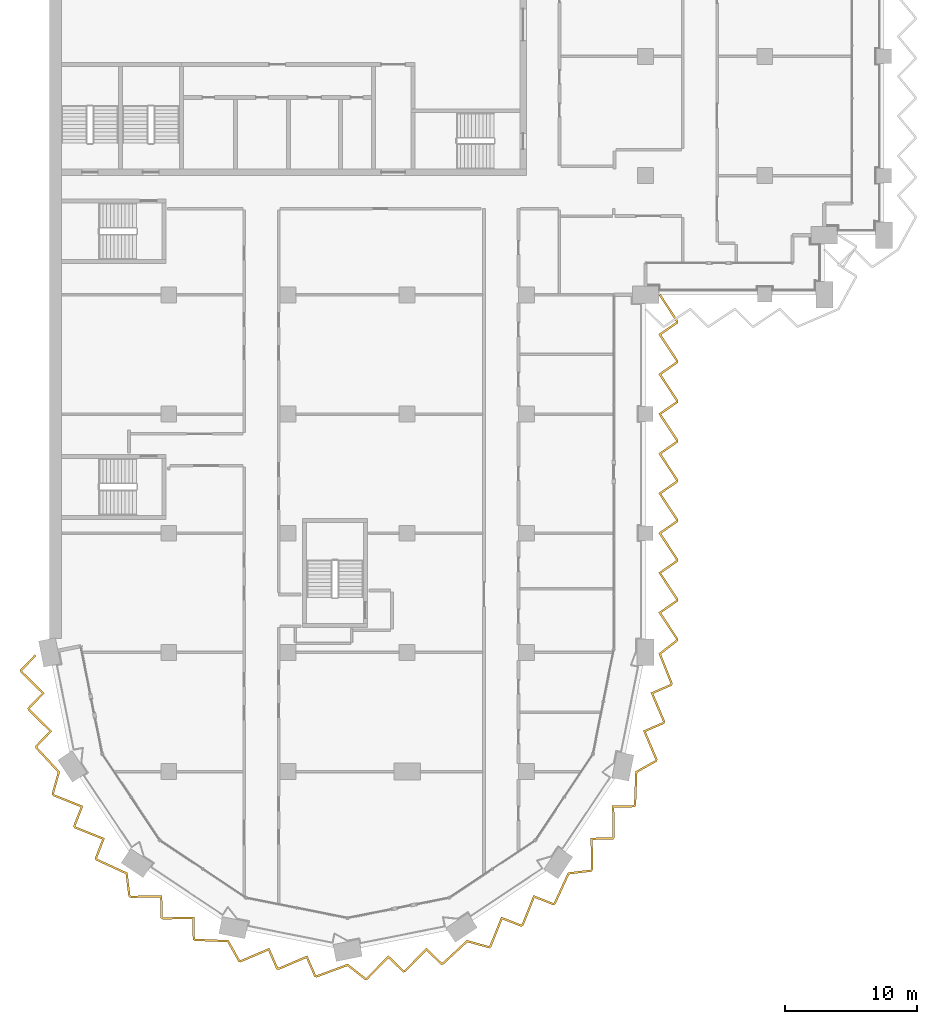
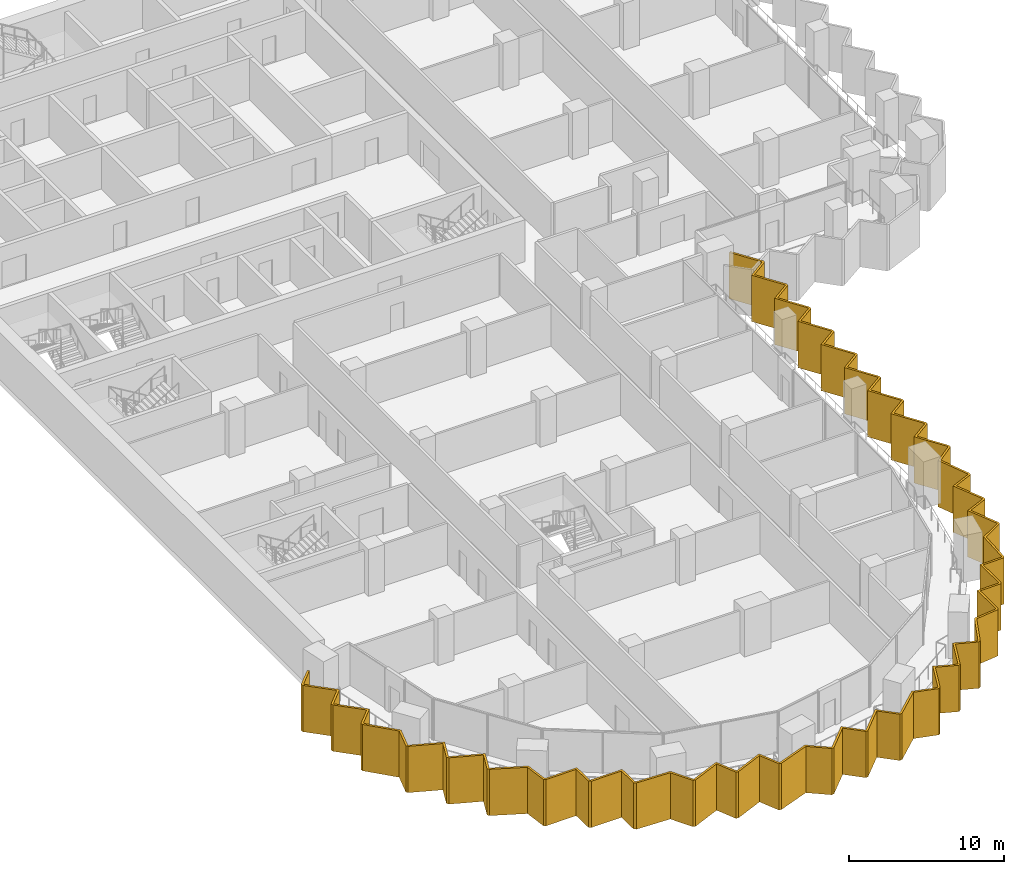
# One storey, part 18 of 22: 1 shading device.
"""IFC4 building model written with IfcOpenShell, lengths in metres."""

import ifcopenshell
import ifcopenshell.guid

model = None  # the IFC model being written
_history = None  # IfcOwnerHistory: only IFC2X3 demands one
_inside = {}  # id of a spatial element -> (the spatial element, [elements in it])
_under = {}  # id of a project, library or spatial element -> (it, [spatial elements below it])
_declared = {}  # id of a project -> (the project, [libraries it declares])
_typed = {}  # id of a type object -> (the type object, [elements of that type])
_made_of = {}  # id of a material, layer set ... -> (it, [elements and type objects made of it])


def new_model(schema):
    """Start an empty IFC model of exactly this schema.

    Asked for "IFC4X3", IfcOpenShell would pick the latest addendum, in which some entities
    have other attributes; the version numbers below select the first issue.
    IFC2X3 requires an IfcOwnerHistory on every rooted entity: one is made here for all.
    """
    global model, _history
    if schema == "IFC4X3":
        model = ifcopenshell.file(schema_version=(4, 3, 0, 0))
    else:
        model = ifcopenshell.file(schema=schema)
    _inside.clear()
    _under.clear()
    _declared.clear()
    _typed.clear()
    _made_of.clear()
    _history = None
    if model.schema == "IFC2X3":
        org = make("IfcOrganization", Name="unknown")
        user = make(
            "IfcPersonAndOrganization",
            ThePerson=make("IfcPerson", FamilyName="unknown"),
            TheOrganization=org,
        )
        app = make(
            "IfcApplication",
            ApplicationDeveloper=org,
            Version="unknown",
            ApplicationFullName="unknown",
            ApplicationIdentifier="unknown",
        )
        _history = make(
            "IfcOwnerHistory",
            OwningUser=user,
            OwningApplication=app,
            ChangeAction="ADDED",
            CreationDate=0,
        )
    return model


def make(cls, **values):
    """One entity of the class cls with the attributes given. An attribute that is None is left unset."""
    return model.create_entity(
        cls, **{name: value for name, value in values.items() if value is not None}
    )


def rooted(cls, **values):
    """An entity with a GlobalId (a new one), such as an element, a storey or a relation."""
    return make(cls, GlobalId=ifcopenshell.guid.new(), OwnerHistory=_history, **values)


def si_unit(unit_type, name, prefix=None):
    """IfcSIUnit, for example si_unit("LENGTHUNIT", "METRE", prefix="MILLI")."""
    return make("IfcSIUnit", UnitType=unit_type, Prefix=prefix, Name=name)


def assignment(units):
    """IfcUnitAssignment: the units of a project."""
    return None if units is None else make("IfcUnitAssignment", Units=units)


def point(xyz):
    """IfcCartesianPoint."""
    return None if xyz is None else make("IfcCartesianPoint", Coordinates=xyz)


def direction(xyz):
    """IfcDirection."""
    return None if xyz is None else make("IfcDirection", DirectionRatios=xyz)


def frame(location, z_axis=None, x_axis=None):
    """IfcAxis2Placement3D, a coordinate frame: its origin and axes. An axis left out is left unset."""
    return make(
        "IfcAxis2Placement3D",
        Location=point(location),
        Axis=direction(z_axis),
        RefDirection=direction(x_axis),
    )


def origin():
    """The frame at (0, 0, 0) with its axes left unset."""
    return frame((0.0, 0.0, 0.0))


def place(relative_to, where):
    """IfcLocalPlacement: puts the frame where relative to a parent placement (None: the world)."""
    return make(
        "IfcLocalPlacement", PlacementRelTo=relative_to, RelativePlacement=where
    )


def context(
    kind, dimensions, precision=None, world=None, true_north=None, identifier=None
):
    """IfcGeometricRepresentationContext, for example the 3D "Model" context."""
    return make(
        "IfcGeometricRepresentationContext",
        ContextIdentifier=identifier,
        ContextType=kind,
        CoordinateSpaceDimension=dimensions,
        Precision=precision,
        WorldCoordinateSystem=world,
        TrueNorth=true_north,
    )


def subcontext(parent, identifier, kind, view, scale=None):
    """IfcGeometricRepresentationSubContext, for example "Body" below "Model"."""
    return make(
        "IfcGeometricRepresentationSubContext",
        ContextIdentifier=identifier,
        ContextType=kind,
        ParentContext=parent,
        TargetScale=scale,
        TargetView=view,
    )


def project(units=None, contexts=None):
    """IfcProject with its units and contexts."""
    return rooted(
        "IfcProject",
        Name="project",
        RepresentationContexts=contexts,
        UnitsInContext=assignment(units),
    )


def spatial(cls, under=None, at=None, **own):
    """A site, building, storey or space (cls), placed at a placement, below another one or the project."""
    s = rooted(cls, ObjectPlacement=at, **own)
    if under is not None:
        _under.setdefault(under.id(), (under, []))[1].append(s)
    return s


def polyline(points):
    """IfcPolyline through the points."""
    return make("IfcPolyline", Points=[point(p) for p in points])


def outline(outer, holes=None, kind="AREA"):
    """IfcArbitraryClosedProfileDef: a profile drawn as a closed curve; with holes, ...WithVoids."""
    if holes is None:
        return make("IfcArbitraryClosedProfileDef", ProfileType=kind, OuterCurve=outer)
    return make(
        "IfcArbitraryProfileDefWithVoids",
        ProfileType=kind,
        OuterCurve=outer,
        InnerCurves=holes,
    )


def extrude(swept, where, along, depth):
    """IfcExtrudedAreaSolid: the profile swept, set in the frame where, extruded along a direction by depth."""
    return make(
        "IfcExtrudedAreaSolid",
        SweptArea=swept,
        Position=where,
        ExtrudedDirection=direction(along),
        Depth=depth,
    )


def shape(context_of_items, identifier, shape_type, items):
    """IfcShapeRepresentation: the items that make up one representation, for example the "Body"."""
    return make(
        "IfcShapeRepresentation",
        ContextOfItems=context_of_items,
        RepresentationIdentifier=identifier,
        RepresentationType=shape_type,
        Items=items,
    )


def material(Name=None, Category=None):
    """IfcMaterial."""
    return make("IfcMaterial", Name=Name, Category=Category)


def layer(
    of_material, thickness, ventilated=None, Name=None, Category=None, Priority=None
):
    """IfcMaterialLayer: one layer of a wall or slab, of a material (None: an air gap)."""
    return make(
        "IfcMaterialLayer",
        Material=of_material,
        LayerThickness=thickness,
        IsVentilated=ventilated,
        Name=Name,
        Category=Category,
        Priority=Priority,
    )


def layer_set(layers, Name=None):
    """IfcMaterialLayerSet."""
    return make("IfcMaterialLayerSet", MaterialLayers=layers, LayerSetName=Name)


def made_of(thing, what):
    """Note that an element or type object is made of a material, layer set ...; save() writes the relation."""
    if what is not None:
        _made_of.setdefault(what.id(), (what, []))[1].append(thing)
    return thing


def type_object(cls, material=None, **own):
    """A type object (cls), such as IfcWallType, which elements share."""
    return made_of(rooted(cls, **own), material)


def element(
    cls,
    number,
    at=None,
    inside=None,
    cuts=None,
    type_object=None,
    material=None,
    context=None,
    identifier="Body",
    shape_type=None,
    held_by="IfcProductDefinitionShape",
    body=None,
    shapes=None,
    **own,
):
    """One element of the class cls, such as IfcWall. Its Tag is "e" and its number.

    at: its placement. inside: the storey or other place that contains it. cuts: it is an
    opening in that element (IfcRelVoidsElement). A single representation is given by context,
    identifier, shape_type and body (its items); several are given by shapes. held_by: the class
    of the entity that holds the representations. save() writes the other relations.
    """
    e = rooted(cls, Tag="e%d" % number, ObjectPlacement=at, **own)
    if body is not None:
        shapes = [shape(context, identifier, shape_type, body)]
    if shapes is not None:
        e.Representation = make(held_by, Representations=shapes)
    if inside is not None:
        _inside.setdefault(inside.id(), (inside, []))[1].append(e)
    if cuts is not None:
        rooted(
            "IfcRelVoidsElement", RelatingBuildingElement=cuts, RelatedOpeningElement=e
        )
    if type_object is not None:
        _typed.setdefault(type_object.id(), (type_object, []))[1].append(e)
    return made_of(e, material)


def aggregate(whole, parts):
    """IfcRelAggregates: a whole, such as a stair, and the parts it consists of."""
    return rooted("IfcRelAggregates", RelatingObject=whole, RelatedObjects=parts)


def save(model, path):
    """Write the relations noted so far, then the file.

    IfcRelAggregates (storeys below a building ...), IfcRelContainedInSpatialStructure (elements
    in a storey), IfcRelDefinesByType, IfcRelAssociatesMaterial and IfcRelDeclares: one each for
    every whole, place, type object, material and project.
    """
    for whole, parts in _under.values():
        aggregate(whole, parts)
    for where, things in _inside.values():
        rooted(
            "IfcRelContainedInSpatialStructure",
            RelatedElements=things,
            RelatingStructure=where,
        )
    for kind, things in _typed.values():
        rooted("IfcRelDefinesByType", RelatedObjects=things, RelatingType=kind)
    for what, things in _made_of.values():
        rooted("IfcRelAssociatesMaterial", RelatedObjects=things, RelatingMaterial=what)
    for by, libraries in _declared.values():
        rooted("IfcRelDeclares", RelatingContext=by, RelatedDefinitions=libraries)
    model.write(path)


model = new_model("IFC4")

# Units and contexts
model_context = context("Model", 3, precision=1e-05, world=origin(), true_north=direction((0.0, 1.0)))
body_context = subcontext(model_context, "Body", "Model", "MODEL_VIEW")
ifc_project = project(units=[si_unit("LENGTHUNIT", "METRE"), si_unit("AREAUNIT", "SQUARE_METRE"), si_unit("VOLUMEUNIT", "CUBIC_METRE"), si_unit("PLANEANGLEUNIT", "RADIAN"), si_unit("MASSUNIT", "GRAM", prefix="KILO")], contexts=[model_context])

# Site, building, storey
site_placement = place(None, origin())
site = spatial("IfcSite", under=ifc_project, at=site_placement, CompositionType="ELEMENT")
building_placement = place(site_placement, origin())
building = spatial("IfcBuilding", under=site, at=building_placement, Name="Hunhe Ridgeline Campus", CompositionType="ELEMENT")
storey_placement = place(building_placement, frame((0.0, 0.0, 133.800048828125)))
storey = spatial("IfcBuildingStorey", under=building, at=storey_placement, Name="L33", CompositionType="ELEMENT", Elevation=133.800048828125)

# Shading device
ifc_material = material(Name="Concrete C50", Category="concrete")
ifc_layer = layer(ifc_material, 0.14990234375)
ifc_layer_set = layer_set([ifc_layer], Name="Sawtooth concrete fin 150 Concrete C50")
shading_device_type = type_object("IfcShadingDeviceType", Name="Sawtooth concrete fin 150 Concrete C50", PredefinedType="USERDEFINED", material=ifc_layer_set)
shading_device_placement = place(storey_placement, frame((0.0, 0.0, -0.949951171875)))
element("IfcShadingDevice", 1, at=shading_device_placement, inside=storey, type_object=shading_device_type, Name="Concrete fin screen 1", ObjectType="FIN", PredefinedType="USERDEFINED", context=body_context, shape_type="SweptSolid", body=[
    extrude(outline(polyline([(-1.00048828125, 26.73828125), (-1.1083984375, 26.84228515625), (-2.234375, 25.675048828125), (-2.198974609375, 25.496337890625), (-0.589111328125, 23.918701171875), (-1.66357421875, 22.804931640625), (-1.6279296875, 22.626220703125), (-0.01806640625, 21.048583984375), (-1.0927734375, 19.934814453125), (-1.057373046875, 19.758056640625), (0.61669921875, 17.949951171875), (0.157958984375, 16.306640625), (0.256591796875, 16.158935546875), (2.34765625, 15.3173828125), (1.781005859375, 13.87744140625), (1.882568359375, 13.725830078125), (3.973388671875, 12.88427734375), (3.406982421875, 11.444091796875), (3.507080078125, 11.294189453125), (5.74560546875, 10.264404296875), (5.950927734375, 8.570556640625), (6.0986328125, 8.471923828125), (8.352294921875, 8.49462890625), (8.380126953125, 6.947509765625), (8.53173828125, 6.84619140625), (10.78564453125, 6.868896484375), (10.813232421875, 5.32177734375), (10.963134765625, 5.221435546875), (13.425537109375, 5.126708984375), (14.26318359375, 3.640380859375), (14.4375, 3.605712890625), (16.510986328125, 4.4892578125), (17.128662109375, 3.0703125), (17.3076171875, 3.034912109375), (19.381103515625, 3.91845703125), (19.998779296875, 2.49951171875), (20.17578125, 2.46435546875), (22.48681640625, 3.319091796875), (23.82958984375, 2.266357421875), (24.003662109375, 2.301025390625), (25.581298828125, 3.910888671875), (26.695068359375, 2.83642578125), (26.873779296875, 2.8720703125), (28.451416015625, 4.48193359375), (29.565185546875, 3.4072265625), (29.741943359375, 3.442626953125), (31.550048828125, 5.11669921875), (33.193359375, 4.657958984375), (33.341064453125, 4.756591796875), (34.1826171875, 6.84765625), (35.62255859375, 6.281005859375), (35.774169921875, 6.382568359375), (36.61572265625, 8.473388671875), (38.055908203125, 7.906982421875), (38.205810546875, 8.007080078125), (39.235595703125, 10.24560546875), (40.929443359375, 10.450927734375), (41.028076171875, 10.5986328125), (41.00537109375, 12.852294921875), (42.552490234375, 12.880126953125), (42.65380859375, 13.03173828125), (42.631103515625, 15.28564453125), (44.17822265625, 15.313232421875), (44.278564453125, 15.463134765625), (44.373291015625, 17.925537109375), (45.859619140625, 18.76318359375), (45.894287109375, 18.9375), (45.0107421875, 21.010986328125), (46.4296875, 21.628662109375), (46.465087890625, 21.8076171875), (45.58154296875, 23.881103515625), (47.00048828125, 24.498779296875), (47.035888671875, 24.6767578125), (46.16552734375, 26.869384765625), (47.449951171875, 27.865966796875), (47.449951171875, 28.045166015625), (46.177734375, 29.97998046875), (47.449951171875, 30.863525390625), (47.449951171875, 31.045166015625), (46.177734375, 32.97998046875), (47.449951171875, 33.863525390625), (47.449951171875, 34.045166015625), (46.177734375, 35.97998046875), (47.449951171875, 36.863525390625), (47.449951171875, 37.045166015625), (46.177734375, 38.97998046875), (47.449951171875, 39.863525390625), (47.449951171875, 40.045166015625), (46.177734375, 41.97998046875), (47.449951171875, 42.863525390625), (47.449951171875, 43.045166015625), (46.177734375, 44.97998046875), (47.449951171875, 45.863525390625), (47.449951171875, 46.045166015625), (46.177734375, 47.97998046875), (47.449951171875, 48.863525390625), (47.449951171875, 49.045166015625), (46.177734375, 50.97998046875), (47.449951171875, 51.863525390625), (47.449951171875, 52.045166015625), (46.1376953125, 54.041259765625), (46.012451171875, 53.958740234375), (47.300048828125, 52.000244140625), (47.300048828125, 51.94189453125), (45.97216796875, 51.02001953125), (47.300048828125, 49.000244140625), (47.300048828125, 48.94189453125), (45.97216796875, 48.02001953125), (47.300048828125, 46.000244140625), (47.300048828125, 45.94189453125), (45.97216796875, 45.02001953125), (47.300048828125, 43.000244140625), (47.300048828125, 42.94189453125), (45.97216796875, 42.02001953125), (47.300048828125, 40.000244140625), (47.300048828125, 39.94189453125), (45.97216796875, 39.02001953125), (47.300048828125, 37.000244140625), (47.300048828125, 36.94189453125), (45.97216796875, 36.02001953125), (47.300048828125, 34.000244140625), (47.300048828125, 33.94189453125), (45.97216796875, 33.02001953125), (47.300048828125, 31.000244140625), (47.300048828125, 30.94189453125), (45.97216796875, 30.02001953125), (47.300048828125, 28.000244140625), (47.300048828125, 27.939453125), (45.984619140625, 26.9189453125), (46.880126953125, 24.66259765625), (46.86865234375, 24.60498046875), (45.38525390625, 23.959228515625), (46.30908203125, 21.791259765625), (46.2978515625, 21.73486328125), (44.814453125, 21.089111328125), (45.738037109375, 18.921142578125), (45.725830078125, 18.860107421875), (44.2265625, 18.014892578125), (44.13037109375, 15.51123046875), (44.09716796875, 15.4619140625), (42.4794921875, 15.432861328125), (42.50341796875, 13.076416015625), (42.471435546875, 13.028564453125), (40.853759765625, 12.999755859375), (40.877685546875, 10.643310546875), (40.843017578125, 10.591552734375), (39.13427734375, 10.384521484375), (38.087158203125, 8.1083984375), (38.03759765625, 8.0751953125), (36.5322265625, 8.66748046875), (35.65234375, 6.4814453125), (35.6044921875, 6.449462890625), (34.098876953125, 7.041748046875), (33.21923828125, 4.855712890625), (33.16748046875, 4.821044921875), (31.509521484375, 5.28369140625), (29.671142578125, 3.581298828125), (29.61279296875, 3.56982421875), (28.448486328125, 4.693115234375), (26.799072265625, 3.010009765625), (26.74267578125, 2.998779296875), (25.578369140625, 4.122314453125), (23.928955078125, 2.439208984375), (23.867919921875, 2.427001953125), (22.51318359375, 3.48876953125), (20.163330078125, 2.61962890625), (20.10498046875, 2.63134765625), (19.459228515625, 4.11474609375), (17.291259765625, 3.19091796875), (17.23486328125, 3.2021484375), (16.589111328125, 4.685546875), (14.421142578125, 3.761962890625), (14.360107421875, 3.774169921875), (13.514892578125, 5.2734375), (11.01123046875, 5.36962890625), (10.9619140625, 5.40283203125), (10.932861328125, 7.0205078125), (8.576416015625, 6.99658203125), (8.528564453125, 7.028564453125), (8.499755859375, 8.646240234375), (6.143310546875, 8.622314453125), (6.091552734375, 8.656982421875), (5.884521484375, 10.36572265625), (3.6083984375, 11.412841796875), (3.5751953125, 11.46240234375), (4.16748046875, 12.9677734375), (1.9814453125, 13.84765625), (1.949462890625, 13.8955078125), (2.541748046875, 15.401123046875), (0.355712890625, 16.28076171875), (0.321044921875, 16.33251953125), (0.78369140625, 17.990478515625), (-0.918701171875, 19.828857421875), (-0.93017578125, 19.88720703125), (0.193115234375, 21.051513671875), (-1.489990234375, 22.700927734375), (-1.501220703125, 22.75732421875), (-0.377685546875, 23.921630859375), (-2.060791015625, 25.571044921875), (-2.072021484375, 25.62744140625), (-1.00048828125, 26.73828125)])), origin(), (0.0, 0.0, 1.0), 3.64990234375),
])

save(model, "model.ifc")
